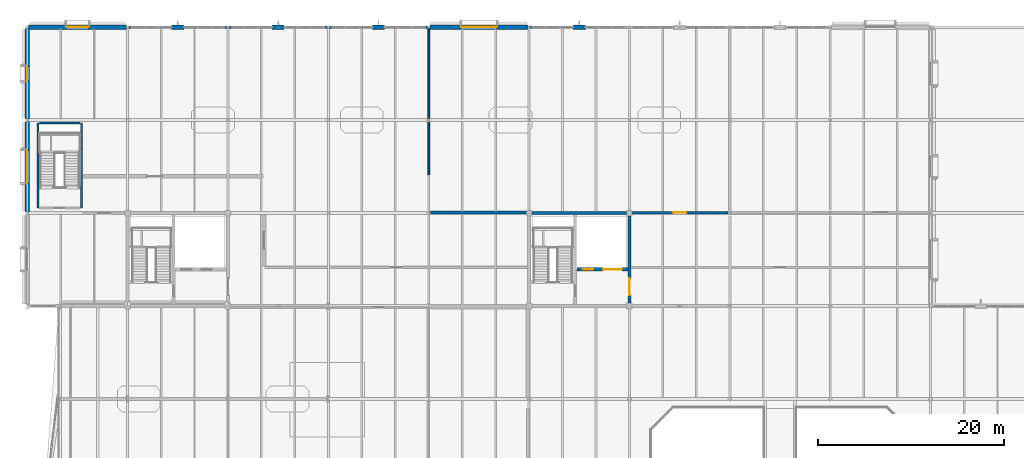
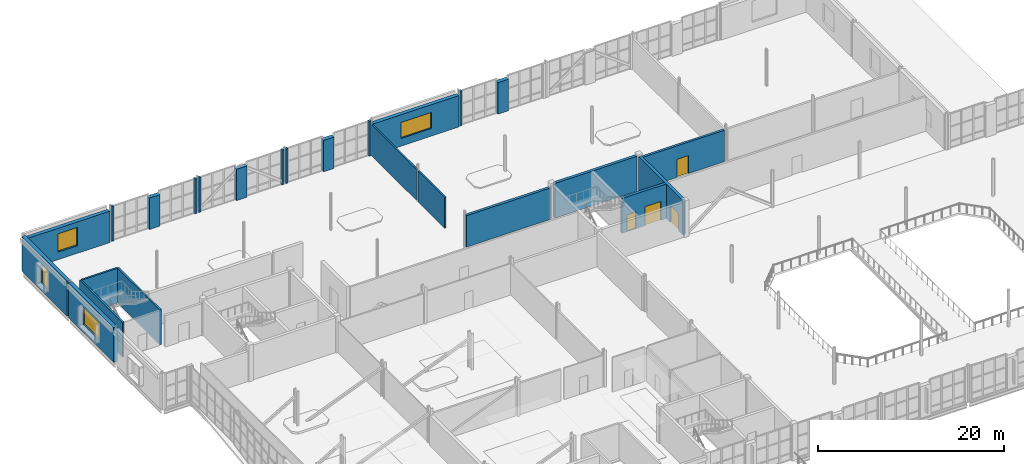
# One storey, part 87 of 100: 25 walls, 4 doors, 4 windows, 8 openings.
"""IFC4 building model written with IfcOpenShell, lengths in metres."""

import ifcopenshell
import ifcopenshell.guid

model = None  # the IFC model being written
_history = None  # IfcOwnerHistory: only IFC2X3 demands one
_inside = {}  # id of a spatial element -> (the spatial element, [elements in it])
_under = {}  # id of a project, library or spatial element -> (it, [spatial elements below it])
_declared = {}  # id of a project -> (the project, [libraries it declares])
_typed = {}  # id of a type object -> (the type object, [elements of that type])
_made_of = {}  # id of a material, layer set ... -> (it, [elements and type objects made of it])


def new_model(schema):
    """Start an empty IFC model of exactly this schema.

    Asked for "IFC4X3", IfcOpenShell would pick the latest addendum, in which some entities
    have other attributes; the version numbers below select the first issue.
    IFC2X3 requires an IfcOwnerHistory on every rooted entity: one is made here for all.
    """
    global model, _history
    if schema == "IFC4X3":
        model = ifcopenshell.file(schema_version=(4, 3, 0, 0))
    else:
        model = ifcopenshell.file(schema=schema)
    _inside.clear()
    _under.clear()
    _declared.clear()
    _typed.clear()
    _made_of.clear()
    _history = None
    if model.schema == "IFC2X3":
        org = make("IfcOrganization", Name="unknown")
        user = make(
            "IfcPersonAndOrganization",
            ThePerson=make("IfcPerson", FamilyName="unknown"),
            TheOrganization=org,
        )
        app = make(
            "IfcApplication",
            ApplicationDeveloper=org,
            Version="unknown",
            ApplicationFullName="unknown",
            ApplicationIdentifier="unknown",
        )
        _history = make(
            "IfcOwnerHistory",
            OwningUser=user,
            OwningApplication=app,
            ChangeAction="ADDED",
            CreationDate=0,
        )
    return model


def make(cls, **values):
    """One entity of the class cls with the attributes given. An attribute that is None is left unset."""
    return model.create_entity(
        cls, **{name: value for name, value in values.items() if value is not None}
    )


def rooted(cls, **values):
    """An entity with a GlobalId (a new one), such as an element, a storey or a relation."""
    return make(cls, GlobalId=ifcopenshell.guid.new(), OwnerHistory=_history, **values)


def si_unit(unit_type, name, prefix=None):
    """IfcSIUnit, for example si_unit("LENGTHUNIT", "METRE", prefix="MILLI")."""
    return make("IfcSIUnit", UnitType=unit_type, Prefix=prefix, Name=name)


def assignment(units):
    """IfcUnitAssignment: the units of a project."""
    return None if units is None else make("IfcUnitAssignment", Units=units)


def point(xyz):
    """IfcCartesianPoint."""
    return None if xyz is None else make("IfcCartesianPoint", Coordinates=xyz)


def direction(xyz):
    """IfcDirection."""
    return None if xyz is None else make("IfcDirection", DirectionRatios=xyz)


def frame(location, z_axis=None, x_axis=None):
    """IfcAxis2Placement3D, a coordinate frame: its origin and axes. An axis left out is left unset."""
    return make(
        "IfcAxis2Placement3D",
        Location=point(location),
        Axis=direction(z_axis),
        RefDirection=direction(x_axis),
    )


def frame_2d(location, x_axis=None):
    """IfcAxis2Placement2D, a coordinate frame in the plane: its origin and x axis."""
    return make(
        "IfcAxis2Placement2D", Location=point(location), RefDirection=direction(x_axis)
    )


def origin():
    """The frame at (0, 0, 0) with its axes left unset."""
    return frame((0.0, 0.0, 0.0))


def place(relative_to, where):
    """IfcLocalPlacement: puts the frame where relative to a parent placement (None: the world)."""
    return make(
        "IfcLocalPlacement", PlacementRelTo=relative_to, RelativePlacement=where
    )


def context(
    kind, dimensions, precision=None, world=None, true_north=None, identifier=None
):
    """IfcGeometricRepresentationContext, for example the 3D "Model" context."""
    return make(
        "IfcGeometricRepresentationContext",
        ContextIdentifier=identifier,
        ContextType=kind,
        CoordinateSpaceDimension=dimensions,
        Precision=precision,
        WorldCoordinateSystem=world,
        TrueNorth=true_north,
    )


def subcontext(parent, identifier, kind, view, scale=None):
    """IfcGeometricRepresentationSubContext, for example "Body" below "Model"."""
    return make(
        "IfcGeometricRepresentationSubContext",
        ContextIdentifier=identifier,
        ContextType=kind,
        ParentContext=parent,
        TargetScale=scale,
        TargetView=view,
    )


def project(units=None, contexts=None):
    """IfcProject with its units and contexts."""
    return rooted(
        "IfcProject",
        Name="project",
        RepresentationContexts=contexts,
        UnitsInContext=assignment(units),
    )


def spatial(cls, under=None, at=None, **own):
    """A site, building, storey or space (cls), placed at a placement, below another one or the project."""
    s = rooted(cls, ObjectPlacement=at, **own)
    if under is not None:
        _under.setdefault(under.id(), (under, []))[1].append(s)
    return s


def profile(cls, at=None, kind="AREA", **sizes):
    """A parametric profile (cls). Its sizes go by their IFC names, for example OverallWidth=200.0."""
    return make(cls, ProfileType=kind, Position=at, **sizes)


def rectangle(**sizes):
    """IfcRectangleProfileDef."""
    return profile("IfcRectangleProfileDef", **sizes)


def extrude(swept, where, along, depth):
    """IfcExtrudedAreaSolid: the profile swept, set in the frame where, extruded along a direction by depth."""
    return make(
        "IfcExtrudedAreaSolid",
        SweptArea=swept,
        Position=where,
        ExtrudedDirection=direction(along),
        Depth=depth,
    )


def shape(context_of_items, identifier, shape_type, items):
    """IfcShapeRepresentation: the items that make up one representation, for example the "Body"."""
    return make(
        "IfcShapeRepresentation",
        ContextOfItems=context_of_items,
        RepresentationIdentifier=identifier,
        RepresentationType=shape_type,
        Items=items,
    )


def material(Name=None, Category=None):
    """IfcMaterial."""
    return make("IfcMaterial", Name=Name, Category=Category)


def layer(
    of_material, thickness, ventilated=None, Name=None, Category=None, Priority=None
):
    """IfcMaterialLayer: one layer of a wall or slab, of a material (None: an air gap)."""
    return make(
        "IfcMaterialLayer",
        Material=of_material,
        LayerThickness=thickness,
        IsVentilated=ventilated,
        Name=Name,
        Category=Category,
        Priority=Priority,
    )


def layer_set(layers, Name=None):
    """IfcMaterialLayerSet."""
    return make("IfcMaterialLayerSet", MaterialLayers=layers, LayerSetName=Name)


def made_of(thing, what):
    """Note that an element or type object is made of a material, layer set ...; save() writes the relation."""
    if what is not None:
        _made_of.setdefault(what.id(), (what, []))[1].append(thing)
    return thing


def type_object(cls, material=None, **own):
    """A type object (cls), such as IfcWallType, which elements share."""
    return made_of(rooted(cls, **own), material)


def element(
    cls,
    number,
    at=None,
    inside=None,
    cuts=None,
    type_object=None,
    material=None,
    context=None,
    identifier="Body",
    shape_type=None,
    held_by="IfcProductDefinitionShape",
    body=None,
    shapes=None,
    **own,
):
    """One element of the class cls, such as IfcWall. Its Tag is "e" and its number.

    at: its placement. inside: the storey or other place that contains it. cuts: it is an
    opening in that element (IfcRelVoidsElement). A single representation is given by context,
    identifier, shape_type and body (its items); several are given by shapes. held_by: the class
    of the entity that holds the representations. save() writes the other relations.
    """
    e = rooted(cls, Tag="e%d" % number, ObjectPlacement=at, **own)
    if body is not None:
        shapes = [shape(context, identifier, shape_type, body)]
    if shapes is not None:
        e.Representation = make(held_by, Representations=shapes)
    if inside is not None:
        _inside.setdefault(inside.id(), (inside, []))[1].append(e)
    if cuts is not None:
        rooted(
            "IfcRelVoidsElement", RelatingBuildingElement=cuts, RelatedOpeningElement=e
        )
    if type_object is not None:
        _typed.setdefault(type_object.id(), (type_object, []))[1].append(e)
    return made_of(e, material)


def fill(opening, filler):
    """IfcRelFillsElement: the door or window that sits in an opening."""
    return rooted(
        "IfcRelFillsElement",
        RelatingOpeningElement=opening,
        RelatedBuildingElement=filler,
    )


def aggregate(whole, parts):
    """IfcRelAggregates: a whole, such as a stair, and the parts it consists of."""
    return rooted("IfcRelAggregates", RelatingObject=whole, RelatedObjects=parts)


def save(model, path):
    """Write the relations noted so far, then the file.

    IfcRelAggregates (storeys below a building ...), IfcRelContainedInSpatialStructure (elements
    in a storey), IfcRelDefinesByType, IfcRelAssociatesMaterial and IfcRelDeclares: one each for
    every whole, place, type object, material and project.
    """
    for whole, parts in _under.values():
        aggregate(whole, parts)
    for where, things in _inside.values():
        rooted(
            "IfcRelContainedInSpatialStructure",
            RelatedElements=things,
            RelatingStructure=where,
        )
    for kind, things in _typed.values():
        rooted("IfcRelDefinesByType", RelatedObjects=things, RelatingType=kind)
    for what, things in _made_of.values():
        rooted("IfcRelAssociatesMaterial", RelatedObjects=things, RelatingMaterial=what)
    for by, libraries in _declared.values():
        rooted("IfcRelDeclares", RelatingContext=by, RelatedDefinitions=libraries)
    model.write(path)


model = new_model("IFC4")

# Units and contexts
model_context = context("Model", 3, precision=1e-05, world=origin(), true_north=direction((0.0, 1.0)))
body_context = subcontext(model_context, "Body", "Model", "MODEL_VIEW")
ifc_project = project(units=[si_unit("LENGTHUNIT", "METRE"), si_unit("AREAUNIT", "SQUARE_METRE"), si_unit("VOLUMEUNIT", "CUBIC_METRE"), si_unit("PLANEANGLEUNIT", "RADIAN"), si_unit("MASSUNIT", "GRAM", prefix="KILO")], contexts=[model_context])

# Site, building, storey
site_placement = place(None, origin())
site = spatial("IfcSite", under=ifc_project, at=site_placement, CompositionType="ELEMENT")
building_placement = place(site_placement, origin())
building = spatial("IfcBuilding", under=site, at=building_placement, Name="Tasgan Crest Museum", CompositionType="ELEMENT")
storey_placement = place(building_placement, frame((0.0, 0.0, 9.60009765625)))
storey = spatial("IfcBuildingStorey", under=building, at=storey_placement, Name="L02", CompositionType="ELEMENT", Elevation=9.60009765625)

# Wall
ifc_material_1 = material(Name="Concrete C40/50", Category="concrete")
ifc_layer_1 = layer(ifc_material_1, 0.35009765625, Name="WL-CORE-350")
ifc_layer_set_1 = layer_set([ifc_layer_1], Name="Concrete C40/50")
wall_type_1 = type_object("IfcWallType", Name="WL-CORE-350", PredefinedType="SHEAR", material=ifc_layer_set_1)
wall_1_placement = place(storey_placement, frame((54.300048828125, 92.0, 0.0), z_axis=(0.0, 0.0, 1.0), x_axis=(1.0, 0.0, 0.0)))
element("IfcWall", 1, at=wall_1_placement, inside=storey, type_object=wall_type_1, Name="North-Central Sawtooth Core north shear wall L02", PredefinedType="SHEAR", context=body_context, shape_type="SweptSolid", body=[
    extrude(rectangle(XDim=10.199951171875, YDim=0.35009765625, at=frame_2d((5.10009765625, 0.0))), origin(), (0.0, 0.0, 1.0), 4.559814453125),
])

# Wall, opening, door
wall_2_placement = place(storey_placement, frame((64.800048828125, 82.300048828125, 0.0), z_axis=(0.0, 0.0, 1.0), x_axis=(0.0, 1.0, 0.0)))
wall_2 = element("IfcWall", 2, at=wall_2_placement, inside=storey, type_object=wall_type_1, Name="North-Central Sawtooth Core east shear wall L02", PredefinedType="SHEAR", context=body_context, shape_type="SweptSolid", body=[
    extrude(rectangle(XDim=9.39990234375, YDim=0.35009765625, at=frame_2d((4.699951171875, 0.0))), origin(), (0.0, 0.0, 1.0), 4.559814453125),
])
opening_1_placement = place(wall_2_placement, frame((0.8798828125, 0.0, 0.0)))
opening_1 = element("IfcOpeningElement", 3, at=opening_1_placement, cuts=wall_2, Name="Opening LD-NC-L02", PredefinedType="OPENING", context=body_context, shape_type="SweptSolid", body=[
    extrude(rectangle(XDim=1.800048828125, YDim=2.25, at=frame_2d((0.89990234375, 1.125))), frame((0.0, 0.18505859375, 0.0), z_axis=(0.0, -1.0, 0.0), x_axis=(1.0, 0.0, 0.0)), (0.0, 0.0, 1.0), 0.3701171875),
])
ifc_material_2 = material(Name="Fire-Rated Double Lobby Door")
door_type_1 = type_object("IfcDoorType", Name="DR-FD2-1800", OperationType="NOTDEFINED", PredefinedType="DOOR", material=ifc_material_2)
door_1_placement = place(opening_1_placement, origin())
door_1 = element("IfcDoor", 4, at=door_1_placement, inside=storey, type_object=door_type_1, Name="North-Central Sawtooth Core lobby door L02", OperationType="DOUBLE_DOOR_SINGLE_SWING", OverallHeight=2.25, OverallWidth=1.800048828125, PredefinedType="DOOR", context=body_context, shape_type="SweptSolid", body=[
    extrude(rectangle(XDim=1.800048828125, YDim=2.25, at=frame_2d((0.89990234375, 1.125))), frame((0.0, 0.02490234375, 0.0), z_axis=(0.0, -1.0, 0.0), x_axis=(1.0, 0.0, 0.0)), (0.0, 0.0, 1.0), 0.050048828125),
])
fill(opening_1, door_1)

# Wall, openings, doors
wall_3_placement = place(storey_placement, frame((59.1298828125, 85.949951171875, 0.0), z_axis=(0.0, 0.0, 1.0), x_axis=(1.0, 0.0, 0.0)))
wall_3 = element("IfcWall", 5, at=wall_3_placement, inside=storey, type_object=wall_type_1, Name="North-Central Sawtooth Core lift-shaft wall L02", PredefinedType="SHEAR", context=body_context, shape_type="SweptSolid", body=[
    extrude(rectangle(XDim=5.490234375, YDim=0.35009765625, at=frame_2d((2.7451171875, 0.0))), origin(), (0.0, 0.0, 1.0), 4.559814453125),
])
opening_2_placement = place(wall_3_placement, frame((0.64990234375, 0.0, 0.0)))
opening_2 = element("IfcOpeningElement", 6, at=opening_2_placement, cuts=wall_3, Name="Opening LD-FL2", PredefinedType="OPENING", context=body_context, shape_type="SweptSolid", body=[
    extrude(rectangle(XDim=1.10009765625, YDim=2.199951171875, at=frame_2d((0.550048828125, 1.10009765625))), frame((0.0, 0.18505859375, 0.0), z_axis=(0.0, -1.0, 0.0), x_axis=(1.0, 0.0, 0.0)), (0.0, 0.0, 1.0), 0.3701171875),
])
opening_3_placement = place(wall_3_placement, frame((2.85009765625, 0.0, 0.0)))
opening_3 = element("IfcOpeningElement", 7, at=opening_3_placement, cuts=wall_3, Name="Opening LD-GL1", PredefinedType="OPENING", context=body_context, shape_type="SweptSolid", body=[
    extrude(rectangle(XDim=2.0, YDim=2.5, at=frame_2d((1.0, 1.25))), frame((0.0, 0.18505859375, 0.0), z_axis=(0.0, -1.0, 0.0), x_axis=(1.0, 0.0, 0.0)), (0.0, 0.0, 1.0), 0.3701171875),
])
ifc_material_3 = material(Name="Stainless Steel Firefighting Lift Landing Door", Category="steel")
door_type_2 = type_object("IfcDoorType", Name="LD-FF-1100", OperationType="NOTDEFINED", PredefinedType="DOOR", material=ifc_material_3)
door_2_placement = place(opening_2_placement, origin())
door_2 = element("IfcDoor", 8, at=door_2_placement, inside=storey, type_object=door_type_2, Name="Firefighting lift landing door FL2 L02", OperationType="DOUBLE_DOOR_SLIDING", OverallHeight=2.199951171875, OverallWidth=1.10009765625, PredefinedType="DOOR", context=body_context, shape_type="SweptSolid", body=[
    extrude(rectangle(XDim=1.10009765625, YDim=2.199951171875, at=frame_2d((0.550048828125, 1.10009765625))), frame((0.0, 0.02490234375, 0.0), z_axis=(0.0, -1.0, 0.0), x_axis=(1.0, 0.0, 0.0)), (0.0, 0.0, 1.0), 0.050048828125),
])
fill(opening_2, door_2)
ifc_material_4 = material(Name="Heavy-Duty Bi-Parting Goods Lift Landing Door")
door_type_3 = type_object("IfcDoorType", Name="LD-GDS-2000", OperationType="NOTDEFINED", PredefinedType="DOOR", material=ifc_material_4)
door_3_placement = place(opening_3_placement, origin())
door_3 = element("IfcDoor", 9, at=door_3_placement, inside=storey, type_object=door_type_3, Name="Lift landing sliding door GL1 L02", OperationType="DOUBLE_DOOR_SLIDING", OverallHeight=2.5, OverallWidth=2.0, PredefinedType="DOOR", context=body_context, shape_type="SweptSolid", body=[
    extrude(rectangle(XDim=2.0, YDim=2.5, at=frame_2d((1.0, 1.25))), frame((0.0, 0.02490234375, 0.0), z_axis=(0.0, -1.0, 0.0), x_axis=(1.0, 0.0, 0.0)), (0.0, 0.0, 1.0), 0.050048828125),
])
fill(opening_3, door_3)

# Walls
ifc_material_5 = material(Name="Precast concrete C40/50", Category="concrete")
ifc_layer_2 = layer(ifc_material_5, 0.320068359375, Name="WL-EXT-CLER-320")
ifc_layer_set_2 = layer_set([ifc_layer_2], Name="Precast concrete C40/50")
wall_type_2 = type_object("IfcWallType", Name="WL-EXT-CLER-320", PredefinedType="STANDARD", material=ifc_layer_set_2)
wall_4_placement = place(storey_placement, frame((54.3701171875, 112.0, 0.0), z_axis=(0.0, 0.0, 1.0), x_axis=(-1.0, 0.0, 0.0)))
element("IfcWall", 10, at=wall_4_placement, inside=storey, type_object=wall_type_2, Name="Curtain wall jamb closure L02 JR", PredefinedType="STANDARD", context=body_context, shape_type="SweptSolid", body=[
    extrude(rectangle(XDim=0.274169921875, YDim=0.300048828125, at=frame_2d((0.13720703125, 0.0))), origin(), (0.0, 0.0, 1.0), 4.559814453125),
])
wall_5_placement = place(storey_placement, frame((43.0673828125, 112.0, 0.0), z_axis=(0.0, 0.0, 1.0), x_axis=(-1.0, 0.0, 0.0)))
element("IfcWall", 11, at=wall_5_placement, inside=storey, type_object=wall_type_2, Name="Curtain wall jamb closure L02 JL", PredefinedType="STANDARD", context=body_context, shape_type="SweptSolid", body=[
    extrude(rectangle(XDim=0.2373046875, YDim=0.300048828125, at=frame_2d((0.11865234375, 0.0))), origin(), (0.0, 0.0, 1.0), 4.559814453125),
])
for number, where, z_axis, x_axis, name in (
    (12, (32.77001953125, 112.0, 0.0), (0.0, 0.0, 1.0), (-1.0, 0.0, 0.0), "Curtain wall jamb closure L02 JR"),
    (13, (32.267578125, 112.0, 0.0), (0.0, 0.0, 1.0), (-1.0, 0.0, 0.0), "Curtain wall jamb closure L02 JL"),
    (14, (21.969970703125, 112.0, 0.0), (0.0, 0.0, 1.0), (-1.0, 0.0, 0.0), "Curtain wall jamb closure L02 JR"),
    (15, (21.467529296875, 112.0, 0.0), (0.0, 0.0, 1.0), (-1.0, 0.0, 0.0), "Curtain wall jamb closure L02 JL"),
):
    element("IfcWall", number, at=place(storey_placement, frame(where, z_axis=z_axis, x_axis=x_axis)), inside=storey, type_object=wall_type_2, Name=name, PredefinedType="STANDARD", context=body_context, shape_type="SweptSolid", body=[
        extrude(rectangle(XDim=0.237548828125, YDim=0.300048828125, at=frame_2d((0.11865234375, 0.0))), origin(), (0.0, 0.0, 1.0), 4.559814453125),
    ])
wall_6_placement = place(storey_placement, frame((11.169921875, 112.0, 0.0), z_axis=(0.0, 0.0, 1.0), x_axis=(-1.0, 0.0, 0.0)))
element("IfcWall", 16, at=wall_6_placement, inside=storey, type_object=wall_type_2, Name="Curtain wall jamb closure L02 JR", PredefinedType="STANDARD", context=body_context, shape_type="SweptSolid", body=[
    extrude(rectangle(XDim=0.2373046875, YDim=0.300048828125, at=frame_2d((0.11865234375, 0.0))), origin(), (0.0, 0.0, 1.0), 4.559814453125),
])
ifc_material_6 = material(Name="Precast concrete C40/50", Category="concrete")
ifc_layer_3 = layer(ifc_material_6, 0.47998046875, Name="WL-EXT-GRAN-480")
ifc_layer_set_3 = layer_set([ifc_layer_3], Name="Precast concrete C40/50")
wall_type_3 = type_object("IfcWallType", Name="WL-EXT-GRAN-480", PredefinedType="STANDARD", material=ifc_layer_set_3)
for number, where, z_axis, x_axis, name in (
    (17, (60.050048828125, 112.0, 0.0), (0.0, 0.0, 1.0), (-1.0, 0.0, 0.0), "Postmodern facade stone pier L02"),
    (18, (38.449951171875, 112.0, 0.0), (0.0, 0.0, 1.0), (-1.0, 0.0, 0.0), "Postmodern facade stone pier L02"),
):
    element("IfcWall", number, at=place(storey_placement, frame(where, z_axis=z_axis, x_axis=x_axis)), inside=storey, type_object=wall_type_3, Name=name, PredefinedType="STANDARD", context=body_context, shape_type="SweptSolid", body=[
        extrude(rectangle(XDim=1.300048828125, YDim=0.47998046875, at=frame_2d((0.64990234375, 0.0))), origin(), (0.0, 0.0, 1.0), 4.118896484375),
    ])
wall_7_placement = place(storey_placement, frame((27.64990234375, 112.0, 0.0), z_axis=(0.0, 0.0, 1.0), x_axis=(-1.0, 0.0, 0.0)))
element("IfcWall", 19, at=wall_7_placement, inside=storey, type_object=wall_type_3, Name="Postmodern facade stone pier L02", PredefinedType="STANDARD", context=body_context, shape_type="SweptSolid", body=[
    extrude(rectangle(XDim=1.2998046875, YDim=0.47998046875, at=frame_2d((0.64990234375, 0.0))), origin(), (0.0, 0.0, 1.0), 4.118896484375),
])
wall_8_placement = place(storey_placement, frame((16.85009765625, 112.0, 0.0), z_axis=(0.0, 0.0, 1.0), x_axis=(-1.0, 0.0, 0.0)))
element("IfcWall", 20, at=wall_8_placement, inside=storey, type_object=wall_type_3, Name="Postmodern facade stone pier L02", PredefinedType="STANDARD", context=body_context, shape_type="SweptSolid", body=[
    extrude(rectangle(XDim=1.300048828125, YDim=0.47998046875, at=frame_2d((0.64990234375, 0.0))), origin(), (0.0, 0.0, 1.0), 4.118896484375),
])

# Wall, opening, window
ifc_material_7 = material(Name="Precast concrete C40/50", Category="concrete")
ifc_layer_4 = layer(ifc_material_7, 0.449951171875, Name="WL-EXT-LIME-450")
ifc_layer_set_4 = layer_set([ifc_layer_4], Name="Precast concrete C40/50")
wall_type_4 = type_object("IfcWallType", Name="WL-EXT-LIME-450", PredefinedType="STANDARD", material=ifc_layer_set_4)
wall_9_placement = place(storey_placement, frame((53.904052734375, 112.0, 0.0), z_axis=(0.0, 0.0, 1.0), x_axis=(-1.0, 0.0, 0.0)))
wall_9 = element("IfcWall", 21, at=wall_9_placement, inside=storey, type_object=wall_type_4, Name="Exterior wall L02 (48.6,112.0)", PredefinedType="STANDARD", context=body_context, shape_type="SweptSolid", body=[
    extrude(rectangle(XDim=10.571533203125, YDim=0.449951171875, at=frame_2d((5.28564453125, 0.0))), origin(), (0.0, 0.0, 1.0), 4.118896484375),
])
opening_4_placement = place(wall_9_placement, frame((3.3857421875, 0.0, 1.0)))
opening_4 = element("IfcOpeningElement", 22, at=opening_4_placement, cuts=wall_9, Name="Opening W23", PredefinedType="OPENING", context=body_context, shape_type="SweptSolid", body=[
    extrude(rectangle(XDim=3.800048828125, YDim=2.10009765625, at=frame_2d((1.89990234375, 1.050048828125))), frame((0.0, 0.23486328125, 0.0), z_axis=(0.0, -1.0, 0.0), x_axis=(1.0, 0.0, 0.0)), (0.0, 0.0, 1.0), 0.469970703125),
])
ifc_material_8 = material(Name="Thermally Broken Triple-Glazed Aluminium", Category="aluminium")
window_type_1 = type_object("IfcWindowType", Name="WN-GAL-3800X2100", PartitioningType="SINGLE_PANEL", PredefinedType="WINDOW", material=ifc_material_8)
window_1_placement = place(opening_4_placement, origin())
window_1 = element("IfcWindow", 23, at=window_1_placement, inside=storey, type_object=window_type_1, Name="Window W23 L02-043", OverallHeight=2.10009765625, OverallWidth=3.800048828125, PartitioningType="SINGLE_PANEL", PredefinedType="WINDOW", context=body_context, shape_type="SweptSolid", body=[
    extrude(rectangle(XDim=3.800048828125, YDim=2.10009765625, at=frame_2d((1.89990234375, 1.050048828125))), frame((0.0, 0.030029296875, 0.0), z_axis=(0.0, -1.0, 0.0), x_axis=(1.0, 0.0, 0.0)), (0.0, 0.0, 1.0), 0.06005859375),
])
fill(opening_4, window_1)

wall_10_placement = place(storey_placement, frame((10.66748046875, 112.0, 0.0), z_axis=(0.0, 0.0, 1.0), x_axis=(-1.0, 0.0, 0.0)))
wall_10 = element("IfcWall", 24, at=wall_10_placement, inside=storey, type_object=wall_type_4, Name="Exterior wall L02 (5.4,112.0)", PredefinedType="STANDARD", context=body_context, shape_type="SweptSolid", body=[
    extrude(rectangle(XDim=10.534912109375, YDim=0.449951171875, at=frame_2d((5.267578125, 0.0))), origin(), (0.0, 0.0, 1.0), 4.118896484375),
])
opening_5_placement = place(wall_10_placement, frame((4.0673828125, 0.0, 1.0)))
opening_5 = element("IfcOpeningElement", 25, at=opening_5_placement, cuts=wall_10, Name="Opening W05", PredefinedType="OPENING", context=body_context, shape_type="SweptSolid", body=[
    extrude(rectangle(XDim=2.39990234375, YDim=2.39990234375, at=frame_2d((1.199951171875, 1.199951171875))), frame((0.0, 0.23486328125, 0.0), z_axis=(0.0, -1.0, 0.0), x_axis=(1.0, 0.0, 0.0)), (0.0, 0.0, 1.0), 0.469970703125),
])
ifc_material_9 = material(Name="Thermally Broken Triple-Glazed Aluminium", Category="aluminium")
window_type_2 = type_object("IfcWindowType", Name="WN-GAL-2400X2400", PartitioningType="SINGLE_PANEL", PredefinedType="WINDOW", material=ifc_material_9)
window_2_placement = place(opening_5_placement, origin())
window_2 = element("IfcWindow", 26, at=window_2_placement, inside=storey, type_object=window_type_2, Name="Window W05 L02-044", OverallHeight=2.39990234375, OverallWidth=2.39990234375, PartitioningType="SINGLE_PANEL", PredefinedType="WINDOW", context=body_context, shape_type="SweptSolid", body=[
    extrude(rectangle(XDim=2.39990234375, YDim=2.39990234375, at=frame_2d((1.199951171875, 1.199951171875))), frame((0.0, 0.030029296875, 0.0), z_axis=(0.0, -1.0, 0.0), x_axis=(1.0, 0.0, 0.0)), (0.0, 0.0, 1.0), 0.06005859375),
])
fill(opening_5, window_2)

wall_11_placement = place(storey_placement, frame((0.0, 111.867431640625, 0.0), z_axis=(0.0, 0.0, 1.0), x_axis=(0.0, -1.0, 0.0)))
wall_11 = element("IfcWall", 27, at=wall_11_placement, inside=storey, type_object=wall_type_4, Name="Exterior wall L02 (0.0,107.0)", PredefinedType="STANDARD", context=body_context, shape_type="SweptSolid", body=[
    extrude(rectangle(XDim=9.73486328125, YDim=0.449951171875, at=frame_2d((4.867431640625, 0.0))), origin(), (0.0, 0.0, 1.0), 4.559814453125),
])
opening_6_placement = place(wall_11_placement, frame((4.092529296875, 0.0, 1.0)))
opening_6 = element("IfcOpeningElement", 28, at=opening_6_placement, cuts=wall_11, Name="Opening W34", PredefinedType="OPENING", context=body_context, shape_type="SweptSolid", body=[
    extrude(rectangle(XDim=1.550048828125, YDim=2.5, at=frame_2d((0.77490234375, 1.25))), frame((0.0, 0.23486328125, 0.0), z_axis=(0.0, -1.0, 0.0), x_axis=(1.0, 0.0, 0.0)), (0.0, 0.0, 1.0), 0.469970703125),
])
ifc_material_10 = material(Name="Thermally Broken Triple-Glazed Aluminium", Category="aluminium")
window_type_3 = type_object("IfcWindowType", Name="WN-GAL-1550X2500", PartitioningType="SINGLE_PANEL", PredefinedType="WINDOW", material=ifc_material_10)
window_3_placement = place(opening_6_placement, origin())
window_3 = element("IfcWindow", 29, at=window_3_placement, inside=storey, type_object=window_type_3, Name="Window W34 L02-045", OverallHeight=2.5, OverallWidth=1.550048828125, PartitioningType="SINGLE_PANEL", PredefinedType="WINDOW", context=body_context, shape_type="SweptSolid", body=[
    extrude(rectangle(XDim=1.550048828125, YDim=2.5, at=frame_2d((0.77490234375, 1.25))), frame((0.0, 0.030029296875, 0.0), z_axis=(0.0, -1.0, 0.0), x_axis=(1.0, 0.0, 0.0)), (0.0, 0.0, 1.0), 0.06005859375),
])
fill(opening_6, window_3)

wall_12_placement = place(storey_placement, frame((0.0, 101.867431640625, 0.0), z_axis=(0.0, 0.0, 1.0), x_axis=(0.0, -1.0, 0.0)))
wall_12 = element("IfcWall", 30, at=wall_12_placement, inside=storey, type_object=wall_type_4, Name="Exterior wall L02 (0.0,97.0)", PredefinedType="STANDARD", context=body_context, shape_type="SweptSolid", body=[
    extrude(rectangle(XDim=9.73486328125, YDim=0.449951171875, at=frame_2d((4.867431640625, 0.0))), origin(), (0.0, 0.0, 1.0), 4.559814453125),
])
opening_7_placement = place(wall_12_placement, frame((3.117431640625, 0.0, 1.0)))
opening_7 = element("IfcOpeningElement", 31, at=opening_7_placement, cuts=wall_12, Name="Opening W32", PredefinedType="OPENING", context=body_context, shape_type="SweptSolid", body=[
    extrude(rectangle(XDim=3.5, YDim=2.300048828125, at=frame_2d((1.75, 1.14990234375))), frame((0.0, 0.23486328125, 0.0), z_axis=(0.0, -1.0, 0.0), x_axis=(1.0, 0.0, 0.0)), (0.0, 0.0, 1.0), 0.469970703125),
])
ifc_material_11 = material(Name="Thermally Broken Triple-Glazed Aluminium", Category="aluminium")
window_type_4 = type_object("IfcWindowType", Name="WN-GAL-3500X2300", PartitioningType="SINGLE_PANEL", PredefinedType="WINDOW", material=ifc_material_11)
window_4_placement = place(opening_7_placement, origin())
window_4 = element("IfcWindow", 32, at=window_4_placement, inside=storey, type_object=window_type_4, Name="Window W32 L02-046", OverallHeight=2.300048828125, OverallWidth=3.5, PartitioningType="SINGLE_PANEL", PredefinedType="WINDOW", context=body_context, shape_type="SweptSolid", body=[
    extrude(rectangle(XDim=3.5, YDim=2.300048828125, at=frame_2d((1.75, 1.14990234375))), frame((0.0, 0.030029296875, 0.0), z_axis=(0.0, -1.0, 0.0), x_axis=(1.0, 0.0, 0.0)), (0.0, 0.0, 1.0), 0.06005859375),
])
fill(opening_7, window_4)

# Walls
ifc_material_12 = material(Name="Gypsum Acoustic Museum Partition")
ifc_layer_5 = layer(ifc_material_12, 0.18994140625, Name="WL-SCH-05")
ifc_layer_set_5 = layer_set([ifc_layer_5], Name="Gypsum Acoustic Museum Partition")
wall_type_5 = type_object("IfcWallType", Name="WL-SCH-05", PredefinedType="PARTITIONING", material=ifc_layer_set_5)
wall_13_placement = place(storey_placement, frame((43.199951171875, 96.10009765625, 0.0), z_axis=(0.0, 0.0, 1.0), x_axis=(0.0, 1.0, 0.0)))
element("IfcWall", 33, at=wall_13_placement, inside=storey, type_object=wall_type_5, Name="Partition Altai Petroglyph Exhibition Gallery / Paleobotany Exhibition Gallery L02", PredefinedType="PARTITIONING", context=body_context, shape_type="SweptSolid", body=[
    extrude(rectangle(XDim=5.699951171875, YDim=0.18994140625, at=frame_2d((2.85009765625, 0.0))), origin(), (0.0, 0.0, 1.0), 4.058837890625),
])
wall_14_placement = place(storey_placement, frame((43.199951171875, 102.199951171875, 0.0), z_axis=(0.0, 0.0, 1.0), x_axis=(0.0, 1.0, 0.0)))
element("IfcWall", 34, at=wall_14_placement, inside=storey, type_object=wall_type_5, Name="Partition Altai Petroglyph Exhibition Gallery / Paleobotany Exhibition Gallery L02", PredefinedType="PARTITIONING", context=body_context, shape_type="SweptSolid", body=[
    extrude(rectangle(XDim=9.6201171875, YDim=0.18994140625, at=frame_2d((4.81005859375, 0.0))), origin(), (0.0, 0.0, 1.0), 4.058837890625),
])

# Wall, opening, door
ifc_material_13 = material(Name="Gypsum Acoustic Museum Partition")
ifc_layer_6 = layer(ifc_material_13, 0.2900390625, Name="WL-SCH-09")
ifc_layer_set_6 = layer_set([ifc_layer_6], Name="Gypsum Acoustic Museum Partition")
wall_type_6 = type_object("IfcWallType", Name="WL-SCH-09", PredefinedType="PARTITIONING", material=ifc_layer_set_6)
wall_15_placement = place(storey_placement, frame((64.97998046875, 92.050048828125, 0.0), z_axis=(0.0, 0.0, 1.0), x_axis=(1.0, 0.0, 0.0)))
wall_15 = element("IfcWall", 35, at=wall_15_placement, inside=storey, type_object=wall_type_6, Name="Partition Fossil Wood Display Gallery / Paleobotany Exhibition Gallery L02", PredefinedType="PARTITIONING", context=body_context, shape_type="SweptSolid", body=[
    extrude(rectangle(XDim=10.419921875, YDim=0.2900390625, at=frame_2d((5.2099609375, 0.0))), origin(), (0.0, 0.0, 1.0), 4.118896484375),
])
opening_8_placement = place(wall_15_placement, frame((4.485107421875, 0.0, 0.0)))
opening_8 = element("IfcOpeningElement", 36, at=opening_8_placement, cuts=wall_15, Name="Opening D065", PredefinedType="OPENING", context=body_context, shape_type="SweptSolid", body=[
    extrude(rectangle(XDim=1.449951171875, YDim=2.35009765625, at=frame_2d((0.72509765625, 1.175048828125))), frame((0.0, 0.155029296875, 0.0), z_axis=(0.0, -1.0, 0.0), x_axis=(1.0, 0.0, 0.0)), (0.0, 0.0, 1.0), 0.31005859375),
])
ifc_material_14 = material(Name="Oak and Brushed Bronze Acoustic Door")
door_type_4 = type_object("IfcDoorType", Name="DR-SCH-09", OperationType="NOTDEFINED", PredefinedType="DOOR", material=ifc_material_14)
door_4_placement = place(opening_8_placement, origin())
door_4 = element("IfcDoor", 37, at=door_4_placement, inside=storey, type_object=door_type_4, Name="Paleobotany Exhibition Gallery door D065", OperationType="SINGLE_SWING_LEFT", OverallHeight=2.35009765625, OverallWidth=1.449951171875, PredefinedType="DOOR", context=body_context, shape_type="SweptSolid", body=[
    extrude(rectangle(XDim=1.449951171875, YDim=2.35009765625, at=frame_2d((0.72509765625, 1.175048828125))), frame((0.0, 0.02490234375, 0.0), z_axis=(0.0, -1.0, 0.0), x_axis=(1.0, 0.0, 0.0)), (0.0, 0.0, 1.0), 0.050048828125),
])
fill(opening_8, door_4)

# Walls
ifc_material_15 = material(Name="Gypsum Acoustic Museum Partition")
ifc_layer_7 = layer(ifc_material_15, 0.330078125, Name="WL-SCH-11")
ifc_layer_set_7 = layer_set([ifc_layer_7], Name="Gypsum Acoustic Museum Partition")
wall_type_7 = type_object("IfcWallType", Name="WL-SCH-11", PredefinedType="PARTITIONING", material=ifc_layer_set_7)
wall_16_placement = place(storey_placement, frame((43.3798828125, 92.050048828125, 0.0), z_axis=(0.0, 0.0, 1.0), x_axis=(1.0, 0.0, 0.0)))
element("IfcWall", 38, at=wall_16_placement, inside=storey, type_object=wall_type_7, Name="Partition Nomadic Bronze Artifacts Gallery / Paleobotany Exhibition Gallery L02", PredefinedType="PARTITIONING", context=body_context, shape_type="SweptSolid", body=[
    extrude(rectangle(XDim=10.440185546875, YDim=0.330078125, at=frame_2d((5.22021484375, 0.0))), origin(), (0.0, 0.0, 1.0), 4.118896484375),
])
ifc_material_16 = material(Name="Concrete C40/50", Category="concrete")
ifc_layer_8 = layer(ifc_material_16, 0.219970703125, Name="WL-SHAFT-220")
ifc_layer_set_8 = layer_set([ifc_layer_8], Name="Concrete C40/50")
wall_type_8 = type_object("IfcWallType", Name="WL-SHAFT-220", PredefinedType="SHEAR", material=ifc_layer_set_8)
for number, where, z_axis, x_axis, name in (
    (39, (1.179931640625, 92.530029296875, 0.0), (0.0, 0.0, 1.0), (0.0, 1.0, 0.0), "GALW stairwell wall L02 W"),
    (40, (5.820068359375, 92.530029296875, 0.0), (0.0, 0.0, 1.0), (0.0, 1.0, 0.0), "GALW stairwell wall L02 E"),
):
    element("IfcWall", number, at=place(storey_placement, frame(where, z_axis=z_axis, x_axis=x_axis)), inside=storey, type_object=wall_type_8, Name=name, PredefinedType="SHEAR", context=body_context, shape_type="SweptSolid", body=[
        extrude(rectangle(XDim=9.139892578125, YDim=0.219970703125, at=frame_2d((4.56982421875, 0.0))), origin(), (0.0, 0.0, 1.0), 4.559814453125),
    ])
wall_17_placement = place(storey_placement, frame((1.300048828125, 101.669921875, 0.0), z_axis=(0.0, 0.0, 1.0), x_axis=(1.0, 0.0, 0.0)))
element("IfcWall", 41, at=wall_17_placement, inside=storey, type_object=wall_type_8, Name="GALW stairwell wall L02 N", PredefinedType="SHEAR", context=body_context, shape_type="SweptSolid", body=[
    extrude(rectangle(XDim=4.39990234375, YDim=0.219970703125, at=frame_2d((2.199951171875, 0.0))), origin(), (0.0, 0.0, 1.0), 4.559814453125),
])

save(model, "model.ifc")
